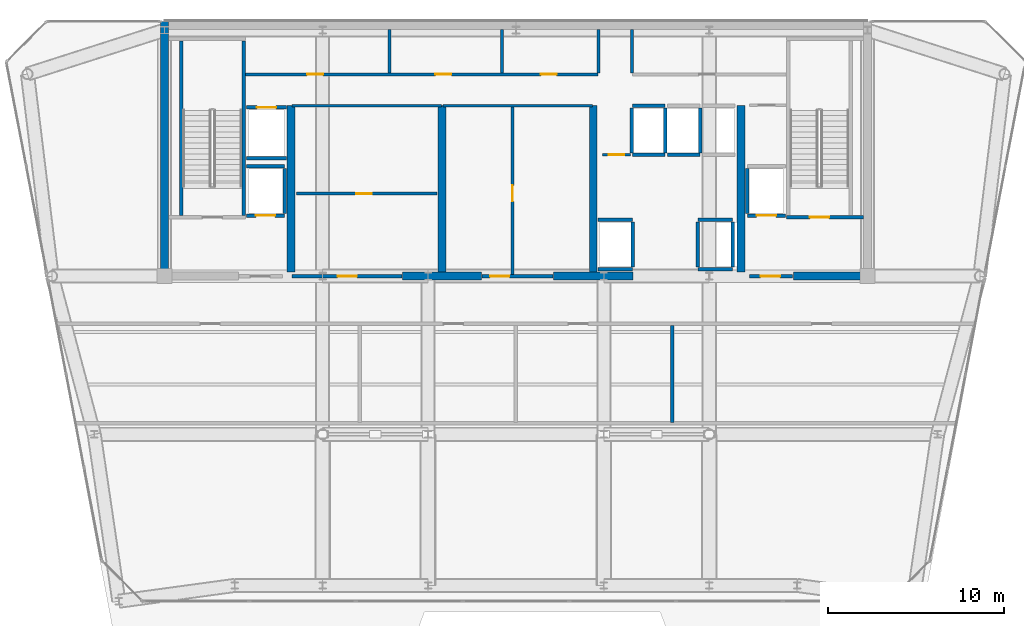
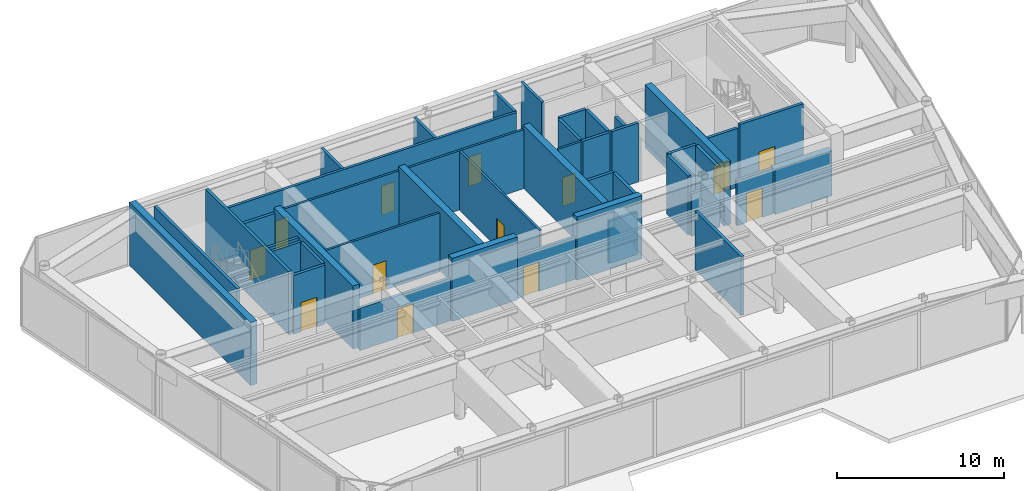
# One storey, part 10 of 14: 45 walls, 13 doors, 13 openings.
"""IFC4 building model written with IfcOpenShell, lengths in metres."""

from ifc_helpers import new_model, si_unit, direction, frame, frame_2d, origin, place, context, subcontext, project, spatial, rectangle, extrude, source, transform, mapped, material, layer, layer_set, type_object, element, fill, save


model = new_model("IFC4")

# Units and contexts
model_context = context("Model", 3, precision=1e-05, world=origin(), true_north=direction((0.0, 1.0)))
body_context = subcontext(model_context, "Body", "Model", "MODEL_VIEW")
ifc_project = project(units=[si_unit("LENGTHUNIT", "METRE"), si_unit("AREAUNIT", "SQUARE_METRE"), si_unit("VOLUMEUNIT", "CUBIC_METRE"), si_unit("PLANEANGLEUNIT", "RADIAN"), si_unit("MASSUNIT", "GRAM", prefix="KILO")], contexts=[model_context])

# Site, building, storey
site_placement = place(None, origin())
site = spatial("IfcSite", under=ifc_project, at=site_placement, CompositionType="ELEMENT")
building_placement = place(site_placement, origin())
building = spatial("IfcBuilding", under=site, at=building_placement, Name="Vaeldorn Concourse Tower", CompositionType="ELEMENT")
storey_placement = place(building_placement, frame((0.0, 0.0, 303.800048828125)))
storey = spatial("IfcBuildingStorey", under=building, at=storey_placement, Name="L78", CompositionType="ELEMENT", Elevation=303.800048828125)

# Walls
ifc_material_1 = material(Name="Concrete C50/60", Category="concrete")
ifc_layer_1 = layer(ifc_material_1, 0.449951171875)
ifc_layer_set_1 = layer_set([ifc_layer_1], Name="Concrete C50/60")
wall_type_1 = type_object("IfcWallType", Name="WL-CORE-450", PredefinedType="SHEAR", material=ifc_layer_set_1)
wall_1_placement = place(storey_placement, frame((14.0, 36.5, 0.0), z_axis=(0.0, 0.0, 1.0), x_axis=(0.0, 1.0, 0.0)))
element("IfcWall", 1, at=wall_1_placement, inside=storey, type_object=wall_type_1, Name="Rear Core Shear Wall L78 W1", PredefinedType="SHEAR", context=body_context, shape_type="SweptSolid", body=[
    extrude(rectangle(XDim=14.5, YDim=0.449951171875, at=frame_2d((7.25, 0.0))), origin(), (0.0, 0.0, 1.0), 4.599853515625),
])
for number, where, z_axis, x_axis, name in (
    (2, (27.550048828125, 36.5, 0.0), (0.0, 0.0, 1.0), (1.0, 0.0, 0.0), "Rear Core Shear Wall L78 S2"),
    (3, (36.14990234375, 36.5, 0.0), (0.0, 0.0, 1.0), (1.0, 0.0, 0.0), "Rear Core Shear Wall L78 S3"),
):
    element("IfcWall", number, at=place(storey_placement, frame(where, z_axis=z_axis, x_axis=x_axis)), inside=storey, type_object=wall_type_1, Name=name, PredefinedType="SHEAR", context=body_context, shape_type="SweptSolid", body=[
        extrude(rectangle(XDim=4.5, YDim=0.449951171875, at=frame_2d((2.25, 0.0))), origin(), (0.0, 0.0, 1.0), 4.599853515625),
    ])
wall_2_placement = place(storey_placement, frame((49.800048828125, 36.5, 0.0), z_axis=(0.0, 0.0, 1.0), x_axis=(1.0, 0.0, 0.0)))
element("IfcWall", 4, at=wall_2_placement, inside=storey, type_object=wall_type_1, Name="Rear Core Shear Wall L78 S4", PredefinedType="SHEAR", context=body_context, shape_type="SweptSolid", body=[
    extrude(rectangle(XDim=3.954833984375, YDim=0.449951171875, at=frame_2d((1.9775390625, 0.0))), origin(), (0.0, 0.0, 1.0), 3.300048828125),
])
for number, where, z_axis, x_axis, name in (
    (5, (21.199951171875, 36.7451171875, 0.0), (0.0, 0.0, 1.0), (0.0, 1.0, 0.0), "Rear Core Shear Wall L78 M1"),
    (6, (29.800048828125, 36.7451171875, 0.0), (0.0, 0.0, 1.0), (0.0, 1.0, 0.0), "Rear Core Shear Wall L78 M2"),
    (7, (38.39990234375, 36.7451171875, 0.0), (0.0, 0.0, 1.0), (0.0, 1.0, 0.0), "Rear Core Shear Wall L78 M3"),
    (8, (46.800048828125, 36.7451171875, 0.0), (0.0, 0.0, 1.0), (0.0, 1.0, 0.0), "Rear Core Shear Wall L78 M4"),
):
    element("IfcWall", number, at=place(storey_placement, frame(where, z_axis=z_axis, x_axis=x_axis)), inside=storey, type_object=wall_type_1, Name=name, PredefinedType="SHEAR", context=body_context, shape_type="SweptSolid", body=[
        extrude(rectangle(XDim=9.454833984375, YDim=0.449951171875, at=frame_2d((4.7275390625, 0.0))), origin(), (0.0, 0.0, 1.0), 4.599853515625),
    ])
ifc_material_2 = material(Name="Gypsum Board Partition", Category="gypsum")
ifc_layer_2 = layer(ifc_material_2, 0.14990234375)
ifc_layer_set_2 = layer_set([ifc_layer_2], Name="Gypsum Board Partition")
wall_type_2 = type_object("IfcWallType", Name="WL-PART-150", PredefinedType="PARTITIONING", material=ifc_layer_set_2)
wall_3_placement = place(storey_placement, frame((21.25, 46.199951171875, 0.0), z_axis=(0.0, 0.0, 1.0), x_axis=(1.0, 0.0, 0.0)))
element("IfcWall", 9, at=wall_3_placement, inside=storey, type_object=wall_type_2, Name="Interior Wall CW-L78-R1N", PredefinedType="PARTITIONING", context=body_context, shape_type="SweptSolid", body=[
    extrude(rectangle(XDim=8.5, YDim=0.14990234375, at=frame_2d((4.25, 0.0))), origin(), (0.0, 0.0, 1.0), 4.300048828125),
])

# Wall, opening, door
wall_4_placement = place(storey_placement, frame((21.5, 41.199951171875, 0.0), z_axis=(0.0, 0.0, 1.0), x_axis=(1.0, 0.0, 0.0)))
wall_4 = element("IfcWall", 10, at=wall_4_placement, inside=storey, type_object=wall_type_2, Name="Interior Wall CW-L78-R1M", PredefinedType="PARTITIONING", context=body_context, shape_type="SweptSolid", body=[
    extrude(rectangle(XDim=8.0, YDim=0.14990234375, at=frame_2d((4.0, 0.0))), origin(), (0.0, 0.0, 1.0), 4.300048828125),
])
opening_1_placement = place(wall_4_placement, frame((3.39990234375, 0.0, 0.0)))
opening_1 = element("IfcOpeningElement", 11, at=opening_1_placement, cuts=wall_4, Name="Opening D-02", PredefinedType="OPENING", context=body_context, shape_type="SweptSolid", body=[
    extrude(rectangle(XDim=0.89990234375, YDim=2.10009765625, at=frame_2d((0.449951171875, 1.050048828125))), frame((0.0, 0.0849609375, 0.0), z_axis=(0.0, -1.0, 0.0), x_axis=(1.0, 0.0, 0.0)), (0.0, 0.0, 1.0), 0.169921875),
])
ifc_material_3 = material(Name="Fire-Rated Timber Leaf", Category="wood")
door_type_1 = type_object("IfcDoorType", Name="DR-FD30-900", OperationType="NOTDEFINED", PredefinedType="DOOR", material=ifc_material_3)
shared_shape_1 = source(origin(), body_context, "Body", "SweptSolid", [
    extrude(rectangle(XDim=0.89990234375, YDim=2.10009765625, at=frame_2d((0.449951171875, 1.050048828125))), frame((0.0, 0.02490234375, 0.0), z_axis=(0.0, -1.0, 0.0), x_axis=(1.0, 0.0, 0.0)), (0.0, 0.0, 1.0), 0.050048828125),
])
door_1_placement = place(opening_1_placement, origin())
door_1 = element("IfcDoor", 12, at=door_1_placement, inside=storey, type_object=door_type_1, Name="Interior Door DR-L78-R1M", OperationType="SINGLE_SWING_RIGHT", OverallHeight=2.10009765625, OverallWidth=0.89990234375, PredefinedType="DOOR", context=body_context, shape_type="MappedRepresentation", body=[
    mapped(shared_shape_1, transform((0.0, 0.0, 0.0), scale=1.0)),
])
fill(opening_1, door_1)

# Wall
wall_5_placement = place(storey_placement, frame((29.85009765625, 46.199951171875, 0.0), z_axis=(0.0, 0.0, 1.0), x_axis=(1.0, 0.0, 0.0)))
element("IfcWall", 13, at=wall_5_placement, inside=storey, type_object=wall_type_2, Name="Interior Wall CW-L78-R2N", PredefinedType="PARTITIONING", context=body_context, shape_type="SweptSolid", body=[
    extrude(rectangle(XDim=8.5, YDim=0.14990234375, at=frame_2d((4.25, 0.0))), origin(), (0.0, 0.0, 1.0), 4.300048828125),
])

# Wall, opening, door
wall_6_placement = place(storey_placement, frame((33.800048828125, 36.56005859375, 0.0), z_axis=(0.0, 0.0, 1.0), x_axis=(0.0, 1.0, 0.0)))
wall_6 = element("IfcWall", 14, at=wall_6_placement, inside=storey, type_object=wall_type_2, Name="Interior Wall CW-L78-R2M", PredefinedType="PARTITIONING", context=body_context, shape_type="SweptSolid", body=[
    extrude(rectangle(XDim=9.579833984375, YDim=0.14990234375, at=frame_2d((4.7900390625, 0.0))), origin(), (0.0, 0.0, 1.0), 4.300048828125),
])
opening_2_placement = place(wall_6_placement, frame((4.199951171875, 0.0, 0.0)))
opening_2 = element("IfcOpeningElement", 15, at=opening_2_placement, cuts=wall_6, Name="Opening D-02", PredefinedType="OPENING", context=body_context, shape_type="SweptSolid", body=[
    extrude(rectangle(XDim=0.89990234375, YDim=2.10009765625, at=frame_2d((0.449951171875, 1.050048828125))), frame((0.0, 0.0849609375, 0.0), z_axis=(0.0, -1.0, 0.0), x_axis=(1.0, 0.0, 0.0)), (0.0, 0.0, 1.0), 0.169921875),
])
door_2_placement = place(opening_2_placement, origin())
door_2 = element("IfcDoor", 16, at=door_2_placement, inside=storey, type_object=door_type_1, Name="Interior Door DR-L78-R2E", OperationType="SINGLE_SWING_RIGHT", OverallHeight=2.10009765625, OverallWidth=0.89990234375, PredefinedType="DOOR", context=body_context, shape_type="MappedRepresentation", body=[
    mapped(shared_shape_1, transform((0.0, 0.0, 0.0), scale=1.0)),
])
fill(opening_2, door_2)

wall_7_placement = place(storey_placement, frame((38.919921875, 43.39990234375, 0.0), z_axis=(0.0, 0.0, 1.0), x_axis=(1.0, 0.0, 0.0)))
wall_7 = element("IfcWall", 17, at=wall_7_placement, inside=storey, type_object=wall_type_2, Name="Interior Wall CW-L78-CCLINK", PredefinedType="PARTITIONING", context=body_context, shape_type="SweptSolid", body=[
    extrude(rectangle(XDim=1.60009765625, YDim=0.14990234375, at=frame_2d((0.800048828125, 0.0))), origin(), (0.0, 0.0, 1.0), 4.300048828125),
])
opening_3_placement = place(wall_7_placement, frame((0.35009765625, 0.0, 0.0)))
opening_3 = element("IfcOpeningElement", 18, at=opening_3_placement, cuts=wall_7, Name="Opening D-02", PredefinedType="OPENING", context=body_context, shape_type="SweptSolid", body=[
    extrude(rectangle(XDim=0.89990234375, YDim=2.10009765625, at=frame_2d((0.449951171875, 1.050048828125))), frame((0.0, 0.0849609375, 0.0), z_axis=(0.0, -1.0, 0.0), x_axis=(1.0, 0.0, 0.0)), (0.0, 0.0, 1.0), 0.169921875),
])
door_3_placement = place(opening_3_placement, origin())
door_3 = element("IfcDoor", 19, at=door_3_placement, inside=storey, type_object=door_type_1, Name="Interior Door DR-L78-CCLINK", OperationType="SINGLE_SWING_LEFT", OverallHeight=2.10009765625, OverallWidth=0.89990234375, PredefinedType="DOOR", context=body_context, shape_type="MappedRepresentation", body=[
    mapped(shared_shape_1, transform((0.0, 0.0, 0.0), scale=1.0)),
])
fill(opening_3, door_3)

# Wall, openings, doors
ifc_layer_3 = layer(ifc_material_2, 0.179931640625)
ifc_layer_set_3 = layer_set([ifc_layer_3], Name="Gypsum Board Partition")
wall_type_3 = type_object("IfcWallType", Name="WL-PLUMB-180", PredefinedType="PLUMBINGWALL", material=ifc_layer_set_3)
wall_8_placement = place(storey_placement, frame((18.6201171875, 47.97998046875, 0.0), z_axis=(0.0, 0.0, 1.0), x_axis=(1.0, 0.0, 0.0)))
wall_8 = element("IfcWall", 20, at=wall_8_placement, inside=storey, type_object=wall_type_3, Name="Interior Wall CW-L78-NS1W", PredefinedType="PLUMBINGWALL", context=body_context, shape_type="SweptSolid", body=[
    extrude(rectangle(XDim=20.059814453125, YDim=0.179931640625, at=frame_2d((10.02978515625, 0.0))), origin(), (0.0, 0.0, 1.0), 4.300048828125),
])
opening_4_placement = place(wall_8_placement, frame((3.5, 0.0, 0.0)))
opening_4 = element("IfcOpeningElement", 21, at=opening_4_placement, cuts=wall_8, Name="Opening D-03", PredefinedType="OPENING", context=body_context, shape_type="SweptSolid", body=[
    extrude(rectangle(XDim=0.89990234375, YDim=2.14990234375, at=frame_2d((0.449951171875, 1.074951171875))), frame((0.0, 0.10009765625, 0.0), z_axis=(0.0, -1.0, 0.0), x_axis=(1.0, 0.0, 0.0)), (0.0, 0.0, 1.0), 0.199951171875),
])
opening_5_placement = place(wall_8_placement, frame((10.800048828125, 0.0, 0.0)))
opening_5 = element("IfcOpeningElement", 22, at=opening_5_placement, cuts=wall_8, Name="Opening D-03", PredefinedType="OPENING", context=body_context, shape_type="SweptSolid", body=[
    extrude(rectangle(XDim=0.89990234375, YDim=2.14990234375, at=frame_2d((0.449951171875, 1.074951171875))), frame((0.0, 0.10009765625, 0.0), z_axis=(0.0, -1.0, 0.0), x_axis=(1.0, 0.0, 0.0)), (0.0, 0.0, 1.0), 0.199951171875),
])
opening_6_placement = place(wall_8_placement, frame((16.800048828125, 0.0, 0.0)))
opening_6 = element("IfcOpeningElement", 23, at=opening_6_placement, cuts=wall_8, Name="Opening D-03", PredefinedType="OPENING", context=body_context, shape_type="SweptSolid", body=[
    extrude(rectangle(XDim=0.89990234375, YDim=2.14990234375, at=frame_2d((0.449951171875, 1.074951171875))), frame((0.0, 0.10009765625, 0.0), z_axis=(0.0, -1.0, 0.0), x_axis=(1.0, 0.0, 0.0)), (0.0, 0.0, 1.0), 0.199951171875),
])
ifc_material_4 = material(Name="Acoustic Bronze-Framed Glass Door", Category="glass")
door_type_2 = type_object("IfcDoorType", Name="DR-INT-900", OperationType="NOTDEFINED", PredefinedType="DOOR", material=ifc_material_4)
shared_shape_2 = source(origin(), body_context, "Body", "SweptSolid", [
    extrude(rectangle(XDim=0.89990234375, YDim=2.14990234375, at=frame_2d((0.449951171875, 1.074951171875))), frame((0.0, 0.02490234375, 0.0), z_axis=(0.0, -1.0, 0.0), x_axis=(1.0, 0.0, 0.0)), (0.0, 0.0, 1.0), 0.050048828125),
])
door_4_placement = place(opening_4_placement, origin())
door_4 = element("IfcDoor", 24, at=door_4_placement, inside=storey, type_object=door_type_2, Name="Interior Door DR-L78-CS1", OperationType="SINGLE_SWING_LEFT", OverallHeight=2.14990234375, OverallWidth=0.89990234375, PredefinedType="DOOR", context=body_context, shape_type="MappedRepresentation", body=[
    mapped(shared_shape_2, transform((0.0, 0.0, 0.0), scale=1.0)),
])
fill(opening_4, door_4)
door_5_placement = place(opening_5_placement, origin())
door_5 = element("IfcDoor", 25, at=door_5_placement, inside=storey, type_object=door_type_2, Name="Interior Door DR-L78-CS2", OperationType="SINGLE_SWING_RIGHT", OverallHeight=2.14990234375, OverallWidth=0.89990234375, PredefinedType="DOOR", context=body_context, shape_type="MappedRepresentation", body=[
    mapped(shared_shape_2, transform((0.0, 0.0, 0.0), scale=1.0)),
])
fill(opening_5, door_5)
door_6_placement = place(opening_6_placement, origin())
door_6 = element("IfcDoor", 26, at=door_6_placement, inside=storey, type_object=door_type_2, Name="Interior Door DR-L78-CS3", OperationType="SINGLE_SWING_LEFT", OverallHeight=2.14990234375, OverallWidth=0.89990234375, PredefinedType="DOOR", context=body_context, shape_type="MappedRepresentation", body=[
    mapped(shared_shape_2, transform((0.0, 0.0, 0.0), scale=1.0)),
])
fill(opening_6, door_6)

# Walls
for number, where, z_axis, x_axis, name in (
    (27, (26.800048828125, 48.06005859375, 0.0), (0.0, 0.0, 1.0), (0.0, 1.0, 0.0), "Interior Wall CW-L78-NDIV1"),
    (28, (33.199951171875, 48.06005859375, 0.0), (0.0, 0.0, 1.0), (0.0, 1.0, 0.0), "Interior Wall CW-L78-NDIV2"),
    (29, (38.699951171875, 48.06005859375, 0.0), (0.0, 0.0, 1.0), (0.0, 1.0, 0.0), "Interior Wall CW-L78-NDIV3"),
    (30, (40.60009765625, 48.06005859375, 0.0), (0.0, 0.0, 1.0), (0.0, 1.0, 0.0), "Interior Wall CW-L78-NDIV4"),
):
    element("IfcWall", number, at=place(storey_placement, frame(where, z_axis=z_axis, x_axis=x_axis)), inside=storey, type_object=wall_type_3, Name=name, PredefinedType="PLUMBINGWALL", context=body_context, shape_type="SweptSolid", body=[
        extrude(rectangle(XDim=2.469970703125, YDim=0.179931640625, at=frame_2d((1.23486328125, 0.0))), origin(), (0.0, 0.0, 1.0), 4.300048828125),
    ])
ifc_layer_4 = layer(ifc_material_1, 0.199951171875)
ifc_layer_set_4 = layer_set([ifc_layer_4], Name="Concrete C50/60")
wall_type_4 = type_object("IfcWallType", Name="WL-SHAFT-200", PredefinedType="SOLIDWALL", material=ifc_layer_set_4)
for number, where, z_axis, x_axis, name in (
    (31, (14.949951171875, 39.9599609375, 0.0), (0.0, 0.0, 1.0), (0.0, 1.0, 0.0), "Stair Shaft Wall CW-L78-ST-1-W"),
    (32, (18.5, 39.9599609375, 0.0), (0.0, 0.0, 1.0), (0.0, 1.0, 0.0), "Stair Shaft Wall CW-L78-ST-1-E"),
):
    element("IfcWall", number, at=place(storey_placement, frame(where, z_axis=z_axis, x_axis=x_axis)), inside=storey, type_object=wall_type_4, Name=name, PredefinedType="SOLIDWALL", context=body_context, shape_type="SweptSolid", body=[
        extrude(rectangle(XDim=9.929931640625, YDim=0.199951171875, at=frame_2d((4.96484375, 0.0))), origin(), (0.0, 0.0, 1.0), 4.599853515625),
    ])

# Wall, opening, door
wall_9_placement = place(storey_placement, frame((49.39990234375, 39.85009765625, 0.0), z_axis=(0.0, 0.0, 1.0), x_axis=(1.0, 0.0, 0.0)))
wall_9 = element("IfcWall", 33, at=wall_9_placement, inside=storey, type_object=wall_type_4, Name="Stair Shaft Wall CW-L78-ST-2-S", PredefinedType="SOLIDWALL", context=body_context, shape_type="SweptSolid", body=[
    extrude(rectangle(XDim=4.375, YDim=0.199951171875, at=frame_2d((2.1875, 0.0))), origin(), (0.0, 0.0, 1.0), 4.599853515625),
])
opening_7_placement = place(wall_9_placement, frame((1.324951171875, 0.0, 0.0)))
opening_7 = element("IfcOpeningElement", 34, at=opening_7_placement, cuts=wall_9, Name="Opening D-01", PredefinedType="OPENING", context=body_context, shape_type="SweptSolid", body=[
    extrude(rectangle(XDim=1.10009765625, YDim=2.14990234375, at=frame_2d((0.550048828125, 1.074951171875))), frame((0.0, 0.10986328125, 0.0), z_axis=(0.0, -1.0, 0.0), x_axis=(1.0, 0.0, 0.0)), (0.0, 0.0, 1.0), 0.219970703125),
])
ifc_material_5 = material(Name="Fire-Rated Timber and Steel Leaf", Category="steel")
door_type_3 = type_object("IfcDoorType", Name="DR-FD60-1100", OperationType="NOTDEFINED", PredefinedType="DOOR", material=ifc_material_5)
shared_shape_3 = source(origin(), body_context, "Body", "SweptSolid", [
    extrude(rectangle(XDim=1.10009765625, YDim=2.14990234375, at=frame_2d((0.550048828125, 1.074951171875))), frame((0.0, 0.02490234375, 0.0), z_axis=(0.0, -1.0, 0.0), x_axis=(1.0, 0.0, 0.0)), (0.0, 0.0, 1.0), 0.050048828125),
])
door_7_placement = place(opening_7_placement, origin())
door_7 = element("IfcDoor", 35, at=door_7_placement, inside=storey, type_object=door_type_3, Name="Interior Door DR-L78-ST-2", OperationType="SINGLE_SWING_RIGHT", OverallHeight=2.14990234375, OverallWidth=1.10009765625, PredefinedType="DOOR", context=body_context, shape_type="MappedRepresentation", body=[
    mapped(shared_shape_3, transform((0.0, 0.0, 0.0), scale=1.0)),
])
fill(opening_7, door_7)

wall_10_placement = place(storey_placement, frame((47.280029296875, 36.5, 0.0), z_axis=(0.0, 0.0, 1.0), x_axis=(1.0, 0.0, 0.0)))
wall_10 = element("IfcWall", 36, at=wall_10_placement, inside=storey, type_object=wall_type_4, Name="Interior Wall CW-L78-FF2S", PredefinedType="SOLIDWALL", context=body_context, shape_type="SweptSolid", body=[
    extrude(rectangle(XDim=2.469970703125, YDim=0.199951171875, at=frame_2d((1.23486328125, 0.0))), origin(), (0.0, 0.0, 1.0), 3.2900390625),
])
opening_8_placement = place(wall_10_placement, frame((0.64990234375, 0.0, 0.0)))
opening_8 = element("IfcOpeningElement", 37, at=opening_8_placement, cuts=wall_10, Name="Opening D-01", PredefinedType="OPENING", context=body_context, shape_type="SweptSolid", body=[
    extrude(rectangle(XDim=1.10009765625, YDim=2.14990234375, at=frame_2d((0.550048828125, 1.074951171875))), frame((0.0, 0.10986328125, 0.0), z_axis=(0.0, -1.0, 0.0), x_axis=(1.0, 0.0, 0.0)), (0.0, 0.0, 1.0), 0.219970703125),
])
door_8_placement = place(opening_8_placement, origin())
door_8 = element("IfcDoor", 38, at=door_8_placement, inside=storey, type_object=door_type_3, Name="Interior Door DR-L78-FF2W", OperationType="SINGLE_SWING_LEFT", OverallHeight=2.14990234375, OverallWidth=1.10009765625, PredefinedType="DOOR", context=body_context, shape_type="MappedRepresentation", body=[
    mapped(shared_shape_3, transform((0.0, 0.0, 0.0), scale=1.0)),
])
fill(opening_8, door_8)

# Walls
wall_11_placement = place(storey_placement, frame((38.669921875, 39.699951171875, 0.0), z_axis=(0.0, 0.0, 1.0), x_axis=(1.0, 0.0, 0.0)))
element("IfcWall", 39, at=wall_11_placement, inside=storey, type_object=wall_type_4, Name="Interior Wall CW-L78-LF-LF-13", PredefinedType="SOLIDWALL", context=body_context, shape_type="SweptSolid", body=[
    extrude(rectangle(XDim=1.9599609375, YDim=0.199951171875, at=frame_2d((0.97998046875, 0.0))), origin(), (0.0, 0.0, 1.0), 4.300048828125),
])
wall_12_placement = place(storey_placement, frame((38.669921875, 36.89990234375, 0.0), z_axis=(0.0, 0.0, 1.0), x_axis=(1.0, 0.0, 0.0)))
element("IfcWall", 40, at=wall_12_placement, inside=storey, type_object=wall_type_4, Name="Interior Wall CW-L78-LFB-LF-13", PredefinedType="SOLIDWALL", context=body_context, shape_type="SweptSolid", body=[
    extrude(rectangle(XDim=1.9599609375, YDim=0.199951171875, at=frame_2d((0.97998046875, 0.0))), origin(), (0.0, 0.0, 1.0), 3.08984375),
])
wall_13_placement = place(storey_placement, frame((40.64990234375, 37.02001953125, 0.0), z_axis=(0.0, 0.0, 1.0), x_axis=(0.0, 1.0, 0.0)))
element("IfcWall", 41, at=wall_13_placement, inside=storey, type_object=wall_type_4, Name="Interior Wall CW-L78-LFE-LF-13", PredefinedType="SOLIDWALL", context=body_context, shape_type="SweptSolid", body=[
    extrude(rectangle(XDim=2.56005859375, YDim=0.199951171875, at=frame_2d((1.280029296875, 0.0))), origin(), (0.0, 0.0, 1.0), 4.300048828125),
])
wall_14_placement = place(storey_placement, frame((44.3701171875, 39.699951171875, 0.0), z_axis=(0.0, 0.0, 1.0), x_axis=(1.0, 0.0, 0.0)))
element("IfcWall", 42, at=wall_14_placement, inside=storey, type_object=wall_type_4, Name="Interior Wall CW-L78-LF-LF-14", PredefinedType="SOLIDWALL", context=body_context, shape_type="SweptSolid", body=[
    extrude(rectangle(XDim=1.9599609375, YDim=0.199951171875, at=frame_2d((0.97998046875, 0.0))), origin(), (0.0, 0.0, 1.0), 4.300048828125),
])
wall_15_placement = place(storey_placement, frame((44.3701171875, 36.89990234375, 0.0), z_axis=(0.0, 0.0, 1.0), x_axis=(1.0, 0.0, 0.0)))
element("IfcWall", 43, at=wall_15_placement, inside=storey, type_object=wall_type_4, Name="Interior Wall CW-L78-LFB-LF-14", PredefinedType="SOLIDWALL", context=body_context, shape_type="SweptSolid", body=[
    extrude(rectangle(XDim=1.9599609375, YDim=0.199951171875, at=frame_2d((0.97998046875, 0.0))), origin(), (0.0, 0.0, 1.0), 3.08984375),
])
for number, where, z_axis, x_axis, name in (
    (44, (44.35009765625, 37.02001953125, 0.0), (0.0, 0.0, 1.0), (0.0, 1.0, 0.0), "Interior Wall CW-L78-LFW-LF-14"),
    (45, (46.35009765625, 37.02001953125, 0.0), (0.0, 0.0, 1.0), (0.0, 1.0, 0.0), "Interior Wall CW-L78-LFE-LF-14"),
):
    element("IfcWall", number, at=place(storey_placement, frame(where, z_axis=z_axis, x_axis=x_axis)), inside=storey, type_object=wall_type_4, Name=name, PredefinedType="SOLIDWALL", context=body_context, shape_type="SweptSolid", body=[
        extrude(rectangle(XDim=2.56005859375, YDim=0.199951171875, at=frame_2d((1.280029296875, 0.0))), origin(), (0.0, 0.0, 1.0), 4.300048828125),
    ])
for number, where, z_axis, x_axis, name in (
    (46, (40.6201171875, 43.39990234375, 0.0), (0.0, 0.0, 1.0), (1.0, 0.0, 0.0), "Interior Wall CW-L78-LF-LF-15"),
    (47, (40.6201171875, 46.199951171875, 0.0), (0.0, 0.0, 1.0), (1.0, 0.0, 0.0), "Interior Wall CW-L78-LFB-LF-15"),
):
    element("IfcWall", number, at=place(storey_placement, frame(where, z_axis=z_axis, x_axis=x_axis)), inside=storey, type_object=wall_type_4, Name=name, PredefinedType="SOLIDWALL", context=body_context, shape_type="SweptSolid", body=[
        extrude(rectangle(XDim=1.85986328125, YDim=0.199951171875, at=frame_2d((0.929931640625, 0.0))), origin(), (0.0, 0.0, 1.0), 4.300048828125),
    ])
for number, where, z_axis, x_axis, name in (
    (48, (40.60009765625, 43.52001953125, 0.0), (0.0, 0.0, 1.0), (0.0, 1.0, 0.0), "Interior Wall CW-L78-LFW-LF-15"),
    (49, (42.5, 43.52001953125, 0.0), (0.0, 0.0, 1.0), (0.0, 1.0, 0.0), "Interior Wall CW-L78-LFE-LF-15"),
):
    element("IfcWall", number, at=place(storey_placement, frame(where, z_axis=z_axis, x_axis=x_axis)), inside=storey, type_object=wall_type_4, Name=name, PredefinedType="SOLIDWALL", context=body_context, shape_type="SweptSolid", body=[
        extrude(rectangle(XDim=2.56005859375, YDim=0.199951171875, at=frame_2d((1.280029296875, 0.0))), origin(), (0.0, 0.0, 1.0), 4.300048828125),
    ])
wall_16_placement = place(storey_placement, frame((42.6201171875, 43.39990234375, 0.0), z_axis=(0.0, 0.0, 1.0), x_axis=(1.0, 0.0, 0.0)))
element("IfcWall", 50, at=wall_16_placement, inside=storey, type_object=wall_type_4, Name="Interior Wall CW-L78-LF-LF-16", PredefinedType="SOLIDWALL", context=body_context, shape_type="SweptSolid", body=[
    extrude(rectangle(XDim=1.85986328125, YDim=0.199951171875, at=frame_2d((0.929931640625, 0.0))), origin(), (0.0, 0.0, 1.0), 4.300048828125),
])
wall_17_placement = place(storey_placement, frame((44.5, 43.52001953125, 0.0), z_axis=(0.0, 0.0, 1.0), x_axis=(0.0, 1.0, 0.0)))
element("IfcWall", 51, at=wall_17_placement, inside=storey, type_object=wall_type_4, Name="Interior Wall CW-L78-LFE-LF-16", PredefinedType="SOLIDWALL", context=body_context, shape_type="SweptSolid", body=[
    extrude(rectangle(XDim=2.56005859375, YDim=0.199951171875, at=frame_2d((1.280029296875, 0.0))), origin(), (0.0, 0.0, 1.0), 3.08984375),
])

# Wall, opening, door
wall_18_placement = place(storey_placement, frame((18.669921875, 46.10009765625, 0.0), z_axis=(0.0, 0.0, 1.0), x_axis=(1.0, 0.0, 0.0)))
wall_18 = element("IfcWall", 52, at=wall_18_placement, inside=storey, type_object=wall_type_4, Name="Interior Wall CW-L78-LF-LF-SV1", PredefinedType="SOLIDWALL", context=body_context, shape_type="SweptSolid", body=[
    extrude(rectangle(XDim=2.260009765625, YDim=0.199951171875, at=frame_2d((1.1298828125, 0.0))), origin(), (0.0, 0.0, 1.0), 4.300048828125),
])
opening_9_placement = place(wall_18_placement, frame((0.580078125, 0.0, 0.0)))
opening_9 = element("IfcOpeningElement", 53, at=opening_9_placement, cuts=wall_18, Name="Opening LD-1", PredefinedType="OPENING", context=body_context, shape_type="SweptSolid", body=[
    extrude(rectangle(XDim=1.10009765625, YDim=2.14990234375, at=frame_2d((0.550048828125, 1.074951171875))), frame((0.0, 0.10986328125, 0.0), z_axis=(0.0, -1.0, 0.0), x_axis=(1.0, 0.0, 0.0)), (0.0, 0.0, 1.0), 0.219970703125),
])
ifc_material_6 = material(Name="Anodised Bronze Aluminium", Category="aluminium")
door_type_4 = type_object("IfcDoorType", Name="DR-LIFT-SLIDE-1100", OperationType="DOUBLE_DOOR_SLIDING", PredefinedType="DOOR", material=ifc_material_6)
door_9_placement = place(opening_9_placement, origin())
door_9 = element("IfcDoor", 54, at=door_9_placement, inside=storey, type_object=door_type_4, Name="Lift Landing Door LD-L78-LF-SV1", OperationType="DOUBLE_DOOR_SLIDING", OverallHeight=2.14990234375, OverallWidth=1.10009765625, PredefinedType="DOOR", context=body_context, shape_type="MappedRepresentation", body=[
    mapped(shared_shape_3, transform((0.0, 0.0, 0.0), scale=1.0)),
])
fill(opening_9, door_9)

# Wall
wall_19_placement = place(storey_placement, frame((18.669921875, 43.199951171875, 0.0), z_axis=(0.0, 0.0, 1.0), x_axis=(1.0, 0.0, 0.0)))
element("IfcWall", 55, at=wall_19_placement, inside=storey, type_object=wall_type_4, Name="Interior Wall CW-L78-LFB-LF-SV1", PredefinedType="SOLIDWALL", context=body_context, shape_type="SweptSolid", body=[
    extrude(rectangle(XDim=2.260009765625, YDim=0.199951171875, at=frame_2d((1.1298828125, 0.0))), origin(), (0.0, 0.0, 1.0), 4.300048828125),
])

# Wall, opening, door
wall_20_placement = place(storey_placement, frame((18.669921875, 39.949951171875, 0.0), z_axis=(0.0, 0.0, 1.0), x_axis=(1.0, 0.0, 0.0)))
wall_20 = element("IfcWall", 56, at=wall_20_placement, inside=storey, type_object=wall_type_4, Name="Interior Wall CW-L78-LF-LF-FF1", PredefinedType="SOLIDWALL", context=body_context, shape_type="SweptSolid", body=[
    extrude(rectangle(XDim=2.16015625, YDim=0.199951171875, at=frame_2d((1.080078125, 0.0))), origin(), (0.0, 0.0, 1.0), 4.300048828125),
])
opening_10_placement = place(wall_20_placement, frame((0.530029296875, 0.0, 0.0)))
opening_10 = element("IfcOpeningElement", 57, at=opening_10_placement, cuts=wall_20, Name="Opening LD-1", PredefinedType="OPENING", context=body_context, shape_type="SweptSolid", body=[
    extrude(rectangle(XDim=1.10009765625, YDim=2.14990234375, at=frame_2d((0.550048828125, 1.074951171875))), frame((0.0, 0.10986328125, 0.0), z_axis=(0.0, -1.0, 0.0), x_axis=(1.0, 0.0, 0.0)), (0.0, 0.0, 1.0), 0.219970703125),
])
door_10_placement = place(opening_10_placement, origin())
door_10 = element("IfcDoor", 58, at=door_10_placement, inside=storey, type_object=door_type_4, Name="Lift Landing Door LD-L78-LF-FF1", OperationType="DOUBLE_DOOR_SLIDING", OverallHeight=2.14990234375, OverallWidth=1.10009765625, PredefinedType="DOOR", context=body_context, shape_type="MappedRepresentation", body=[
    mapped(shared_shape_3, transform((0.0, 0.0, 0.0), scale=1.0)),
])
fill(opening_10, door_10)

# Walls
wall_21_placement = place(storey_placement, frame((18.669921875, 42.75, 0.0), z_axis=(0.0, 0.0, 1.0), x_axis=(1.0, 0.0, 0.0)))
element("IfcWall", 59, at=wall_21_placement, inside=storey, type_object=wall_type_4, Name="Interior Wall CW-L78-LFB-LF-FF1", PredefinedType="SOLIDWALL", context=body_context, shape_type="SweptSolid", body=[
    extrude(rectangle(XDim=2.16015625, YDim=0.199951171875, at=frame_2d((1.080078125, 0.0))), origin(), (0.0, 0.0, 1.0), 4.300048828125),
])
wall_22_placement = place(storey_placement, frame((20.85009765625, 40.070068359375, 0.0), z_axis=(0.0, 0.0, 1.0), x_axis=(0.0, 1.0, 0.0)))
element("IfcWall", 60, at=wall_22_placement, inside=storey, type_object=wall_type_4, Name="Interior Wall CW-L78-LFE-LF-FF1", PredefinedType="SOLIDWALL", context=body_context, shape_type="SweptSolid", body=[
    extrude(rectangle(XDim=2.559814453125, YDim=0.199951171875, at=frame_2d((1.27978515625, 0.0))), origin(), (0.0, 0.0, 1.0), 4.300048828125),
])

# Wall, opening, door
wall_23_placement = place(storey_placement, frame((47.169921875, 39.949951171875, 0.0), z_axis=(0.0, 0.0, 1.0), x_axis=(1.0, 0.0, 0.0)))
wall_23 = element("IfcWall", 61, at=wall_23_placement, inside=storey, type_object=wall_type_4, Name="Interior Wall CW-L78-LF-LF-FF2", PredefinedType="SOLIDWALL", context=body_context, shape_type="SweptSolid", body=[
    extrude(rectangle(XDim=2.16015625, YDim=0.199951171875, at=frame_2d((1.080078125, 0.0))), origin(), (0.0, 0.0, 1.0), 4.300048828125),
])
opening_11_placement = place(wall_23_placement, frame((0.530029296875, 0.0, 0.0)))
opening_11 = element("IfcOpeningElement", 62, at=opening_11_placement, cuts=wall_23, Name="Opening LD-1", PredefinedType="OPENING", context=body_context, shape_type="SweptSolid", body=[
    extrude(rectangle(XDim=1.10009765625, YDim=2.14990234375, at=frame_2d((0.550048828125, 1.074951171875))), frame((0.0, 0.10986328125, 0.0), z_axis=(0.0, -1.0, 0.0), x_axis=(1.0, 0.0, 0.0)), (0.0, 0.0, 1.0), 0.219970703125),
])
door_11_placement = place(opening_11_placement, origin())
door_11 = element("IfcDoor", 63, at=door_11_placement, inside=storey, type_object=door_type_4, Name="Lift Landing Door LD-L78-LF-FF2", OperationType="DOUBLE_DOOR_SLIDING", OverallHeight=2.14990234375, OverallWidth=1.10009765625, PredefinedType="DOOR", context=body_context, shape_type="MappedRepresentation", body=[
    mapped(shared_shape_3, transform((0.0, 0.0, 0.0), scale=1.0)),
])
fill(opening_11, door_11)

# Wall
wall_24_placement = place(storey_placement, frame((47.14990234375, 40.070068359375, 0.0), z_axis=(0.0, 0.0, 1.0), x_axis=(0.0, 1.0, 0.0)))
element("IfcWall", 64, at=wall_24_placement, inside=storey, type_object=wall_type_4, Name="Interior Wall CW-L78-LFW-LF-FF2", PredefinedType="SOLIDWALL", context=body_context, shape_type="SweptSolid", body=[
    extrude(rectangle(XDim=2.559814453125, YDim=0.199951171875, at=frame_2d((1.27978515625, 0.0))), origin(), (0.0, 0.0, 1.0), 4.300048828125),
])

# Wall, opening, door
wall_25_placement = place(storey_placement, frame((21.25, 36.5, 0.0), z_axis=(0.0, 0.0, 1.0), x_axis=(1.0, 0.0, 0.0)))
wall_25 = element("IfcWall", 65, at=wall_25_placement, inside=storey, type_object=wall_type_4, Name="Interior Wall CW-L78-R1S", PredefinedType="SOLIDWALL", context=body_context, shape_type="SweptSolid", body=[
    extrude(rectangle(XDim=6.27001953125, YDim=0.199951171875, at=frame_2d((3.135009765625, 0.0))), origin(), (0.0, 0.0, 1.0), 3.08984375),
])
opening_12_placement = place(wall_25_placement, frame((2.60009765625, 0.0, 0.0)))
opening_12 = element("IfcOpeningElement", 66, at=opening_12_placement, cuts=wall_25, Name="Opening D-01", PredefinedType="OPENING", context=body_context, shape_type="SweptSolid", body=[
    extrude(rectangle(XDim=1.10009765625, YDim=2.14990234375, at=frame_2d((0.550048828125, 1.074951171875))), frame((0.0, 0.10986328125, 0.0), z_axis=(0.0, -1.0, 0.0), x_axis=(1.0, 0.0, 0.0)), (0.0, 0.0, 1.0), 0.219970703125),
])
door_12_placement = place(opening_12_placement, origin())
door_12 = element("IfcDoor", 67, at=door_12_placement, inside=storey, type_object=door_type_3, Name="Interior Door DR-L78-R1S", OperationType="SINGLE_SWING_LEFT", OverallHeight=2.14990234375, OverallWidth=1.10009765625, PredefinedType="DOOR", context=body_context, shape_type="MappedRepresentation", body=[
    mapped(shared_shape_3, transform((0.0, 0.0, 0.0), scale=1.0)),
])
fill(opening_12, door_12)

wall_26_placement = place(storey_placement, frame((32.080078125, 36.5, 0.0), z_axis=(0.0, 0.0, 1.0), x_axis=(1.0, 0.0, 0.0)))
wall_26 = element("IfcWall", 68, at=wall_26_placement, inside=storey, type_object=wall_type_4, Name="Interior Wall CW-L78-R2S", PredefinedType="SOLIDWALL", context=body_context, shape_type="SweptSolid", body=[
    extrude(rectangle(XDim=4.0400390625, YDim=0.199951171875, at=frame_2d((2.02001953125, 0.0))), origin(), (0.0, 0.0, 1.0), 3.08984375),
])
opening_13_placement = place(wall_26_placement, frame((0.449951171875, 0.0, 0.0)))
opening_13 = element("IfcOpeningElement", 69, at=opening_13_placement, cuts=wall_26, Name="Opening D-01", PredefinedType="OPENING", context=body_context, shape_type="SweptSolid", body=[
    extrude(rectangle(XDim=1.10009765625, YDim=2.14990234375, at=frame_2d((0.550048828125, 1.074951171875))), frame((0.0, 0.10986328125, 0.0), z_axis=(0.0, -1.0, 0.0), x_axis=(1.0, 0.0, 0.0)), (0.0, 0.0, 1.0), 0.219970703125),
])
door_13_placement = place(opening_13_placement, origin())
door_13 = element("IfcDoor", 70, at=door_13_placement, inside=storey, type_object=door_type_3, Name="Interior Door DR-L78-R2W", OperationType="SINGLE_SWING_LEFT", OverallHeight=2.14990234375, OverallWidth=1.10009765625, PredefinedType="DOOR", context=body_context, shape_type="MappedRepresentation", body=[
    mapped(shared_shape_3, transform((0.0, 0.0, 0.0), scale=1.0)),
])
fill(opening_13, door_13)

# Wall
wall_27_placement = place(storey_placement, frame((42.89990234375, 28.179931640625, 0.0), z_axis=(0.0, 0.0, 1.0), x_axis=(0.0, 1.0, 0.0)))
element("IfcWall", 71, at=wall_27_placement, inside=storey, type_object=wall_type_4, Name="Interior Wall PW-L78-PD3", PredefinedType="SOLIDWALL", context=body_context, shape_type="SweptSolid", body=[
    extrude(rectangle(XDim=5.52001953125, YDim=0.199951171875, at=frame_2d((2.760009765625, 0.0))), origin(), (0.0, 0.0, 1.0), 4.300048828125),
])

save(model, "model.ifc")
